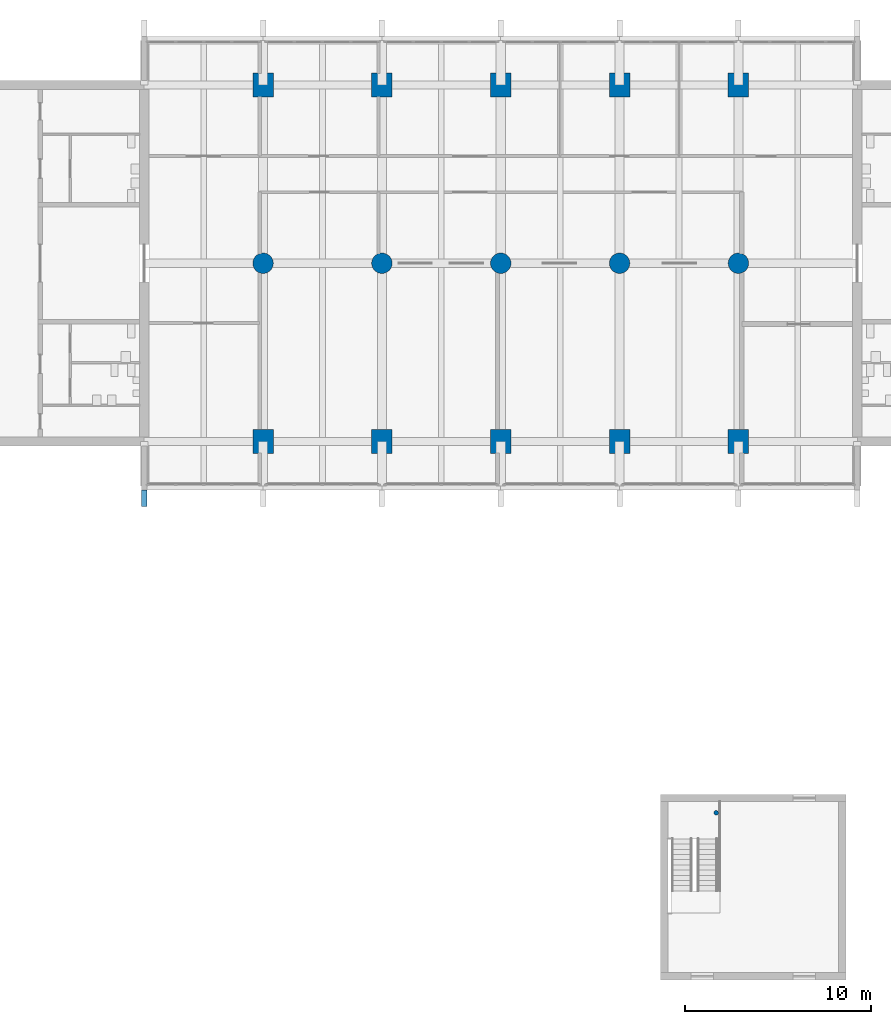
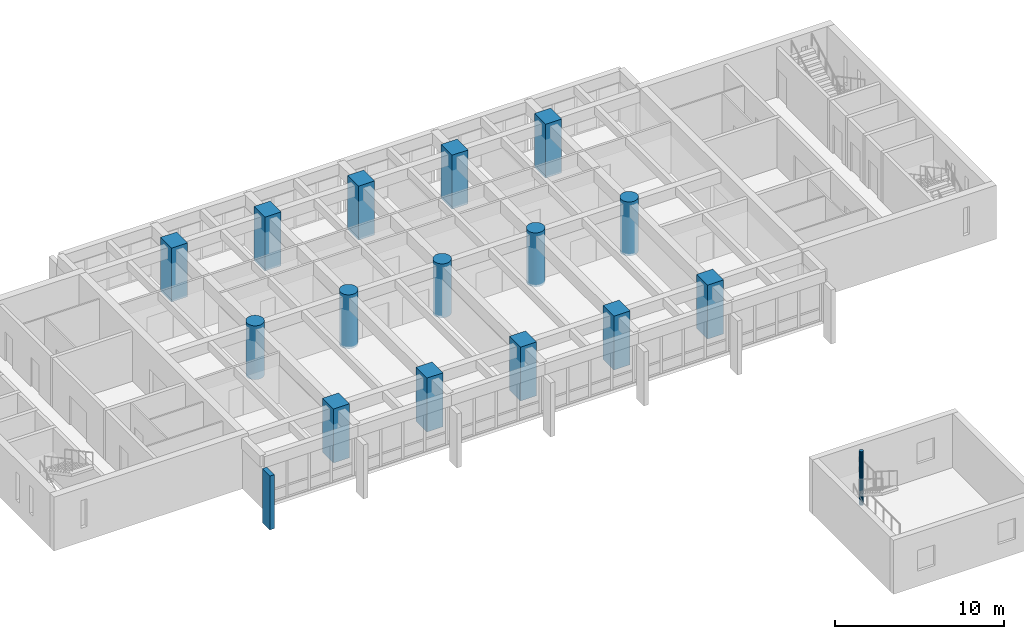
# One storey, part 1 of 19: 16 columns, 1 member.
"""IFC4 building model written with IfcOpenShell, lengths in metres."""

from ifc_helpers import new_model, si_unit, direction, frame, origin, origin_2d, place, context, subcontext, project, spatial, rectangle, circle, extrude, material, material_profile, profile_set, type_object, element, save


model = new_model("IFC4")

# Units and contexts
model_context = context("Model", 3, precision=1e-05, world=origin(), true_north=direction((0.0, 1.0)))
body_context = subcontext(model_context, "Body", "Model", "MODEL_VIEW")
ifc_project = project(units=[si_unit("LENGTHUNIT", "METRE"), si_unit("AREAUNIT", "SQUARE_METRE"), si_unit("VOLUMEUNIT", "CUBIC_METRE"), si_unit("PLANEANGLEUNIT", "RADIAN"), si_unit("MASSUNIT", "GRAM", prefix="KILO")], contexts=[model_context])

# Site, building, storey
site_placement = place(None, origin())
site = spatial("IfcSite", under=ifc_project, at=site_placement, CompositionType="ELEMENT")
building_placement = place(site_placement, origin())
building = spatial("IfcBuilding", under=site, at=building_placement, Name="Fogon Plaza Fire Station and Headquarters Tower", CompositionType="ELEMENT")
storey_placement = place(building_placement, frame((0.0, 0.0, 17.10009765625)))
storey = spatial("IfcBuildingStorey", under=building, at=storey_placement, Name="L04", CompositionType="ELEMENT", Elevation=17.10009765625)

# Columns
ifc_material_1 = material(Name="Concrete C40", Category="concrete")
ifc_material_profile_1 = material_profile(ifc_material_1, rectangle(XDim=1.10009765625, YDim=1.300048828125, at=origin_2d()), Name="RC 1100x1300")
ifc_profile_set_1 = profile_set([ifc_material_profile_1], Name="Concrete C40")
column_type_1 = type_object("IfcColumnType", Name="COLUMN RC 1100x1300", PredefinedType="COLUMN", material=ifc_profile_set_1)
for number, where, z_axis, x_axis, name in (
    (1, (32.0, 33.60009765625, 0.0), (0.0, 0.0, 1.0), (1.0, 0.0, 0.0), "col-L04-4E"),
    (2, (32.0, 52.800048828125, 0.0), (0.0, 0.0, 1.0), (1.0, 0.0, 0.0), "col-L04-4G"),
    (3, (38.39990234375, 33.60009765625, 0.0), (0.0, 0.0, 1.0), (1.0, 0.0, 0.0), "col-L04-5E"),
    (4, (38.39990234375, 52.800048828125, 0.0), (0.0, 0.0, 1.0), (1.0, 0.0, 0.0), "col-L04-5G"),
    (5, (44.800048828125, 33.60009765625, 0.0), (0.0, 0.0, 1.0), (1.0, 0.0, 0.0), "col-L04-6E"),
    (6, (44.800048828125, 52.800048828125, 0.0), (0.0, 0.0, 1.0), (1.0, 0.0, 0.0), "col-L04-6G"),
    (7, (51.199951171875, 33.60009765625, 0.0), (0.0, 0.0, 1.0), (1.0, 0.0, 0.0), "col-L04-7E"),
    (8, (51.199951171875, 52.800048828125, 0.0), (0.0, 0.0, 1.0), (1.0, 0.0, 0.0), "col-L04-7G"),
    (9, (57.60009765625, 33.60009765625, 0.0), (0.0, 0.0, 1.0), (1.0, 0.0, 0.0), "col-L04-8E"),
    (10, (57.60009765625, 52.800048828125, 0.0), (0.0, 0.0, 1.0), (1.0, 0.0, 0.0), "col-L04-8G"),
):
    element("IfcColumn", number, at=place(storey_placement, frame(where, z_axis=z_axis, x_axis=x_axis)), inside=storey, type_object=column_type_1, Name=name, PredefinedType="COLUMN", context=body_context, shape_type="SweptSolid", body=[
        extrude(rectangle(XDim=1.10009765625, YDim=1.300048828125, at=origin_2d()), origin(), (0.0, 0.0, 1.0), 3.89990234375),
    ])
ifc_material_2 = material(Name="Concrete C40", Category="concrete")
ifc_material_profile_2 = material_profile(ifc_material_2, circle(Radius=0.550048828125, at=origin_2d()), Name="RC D1100")
ifc_profile_set_2 = profile_set([ifc_material_profile_2], Name="Concrete C40")
column_type_2 = type_object("IfcColumnType", Name="COLUMN RC D1100", PredefinedType="COLUMN", material=ifc_profile_set_2)
for number, where, z_axis, x_axis, name in (
    (11, (32.0, 43.199951171875, 0.0), (0.0, 0.0, 1.0), (1.0, 0.0, 0.0), "col-L04-4F"),
    (12, (38.39990234375, 43.199951171875, 0.0), (0.0, 0.0, 1.0), (1.0, 0.0, 0.0), "col-L04-5F"),
    (13, (44.800048828125, 43.199951171875, 0.0), (0.0, 0.0, 1.0), (1.0, 0.0, 0.0), "col-L04-6F"),
    (14, (51.199951171875, 43.199951171875, 0.0), (0.0, 0.0, 1.0), (1.0, 0.0, 0.0), "col-L04-7F"),
    (15, (57.60009765625, 43.199951171875, 0.0), (0.0, 0.0, 1.0), (1.0, 0.0, 0.0), "col-L04-8F"),
):
    element("IfcColumn", number, at=place(storey_placement, frame(where, z_axis=z_axis, x_axis=x_axis)), inside=storey, type_object=column_type_2, Name=name, PredefinedType="COLUMN", context=body_context, shape_type="SweptSolid", body=[
        extrude(circle(Radius=0.550048828125, at=origin_2d()), origin(), (0.0, 0.0, 1.0), 3.89990234375),
    ])
ifc_material_3 = material(Name="Concrete C40", Category="concrete")
ifc_material_profile_3 = material_profile(ifc_material_3, circle(Radius=0.125, at=origin_2d()), Name="RC D250")
ifc_profile_set_3 = profile_set([ifc_material_profile_3], Name="Concrete C40")
column_type_3 = type_object("IfcColumnType", Name="COLUMN RC D250", PredefinedType="COLUMN", material=ifc_profile_set_3)
column_placement = place(storey_placement, frame((56.39990234375, 13.60009765625, 0.0), z_axis=(0.0, 0.0, 1.0), x_axis=(1.0, 0.0, 0.0)))
element("IfcColumn", 16, at=column_placement, inside=storey, type_object=column_type_3, Name="Drill stair post L04", PredefinedType="COLUMN", context=body_context, shape_type="SweptSolid", body=[
    extrude(circle(Radius=0.125, at=origin_2d()), origin(), (0.0, 0.0, 1.0), 3.89990234375),
])

# Member
ifc_material_4 = material(Name="Concrete C40 precast", Category="concrete")
ifc_material_profile_4 = material_profile(ifc_material_4, rectangle(XDim=0.300048828125, YDim=0.89990234375, at=origin_2d()), Name="Precast Concrete Post 300x900")
ifc_profile_set_4 = profile_set([ifc_material_profile_4], Name="Concrete C40 precast")
member_type = type_object("IfcMemberType", Name="Precast Concrete Post 300x900", PredefinedType="POST", material=ifc_profile_set_4)
member_placement = place(storey_placement, frame((25.60009765625, 30.550048828125, -1.02001953125), z_axis=(0.0, 0.0, 1.0), x_axis=(1.0, 0.0, 0.0)))
element("IfcMember", 17, at=member_placement, inside=storey, type_object=member_type, Name="Precast Post S L04", PredefinedType="POST", context=body_context, shape_type="SweptSolid", body=[
    extrude(rectangle(XDim=0.300048828125, YDim=0.89990234375, at=origin_2d()), origin(), (0.0, 0.0, 1.0), 3.89990234375),
])

save(model, "model.ifc")
